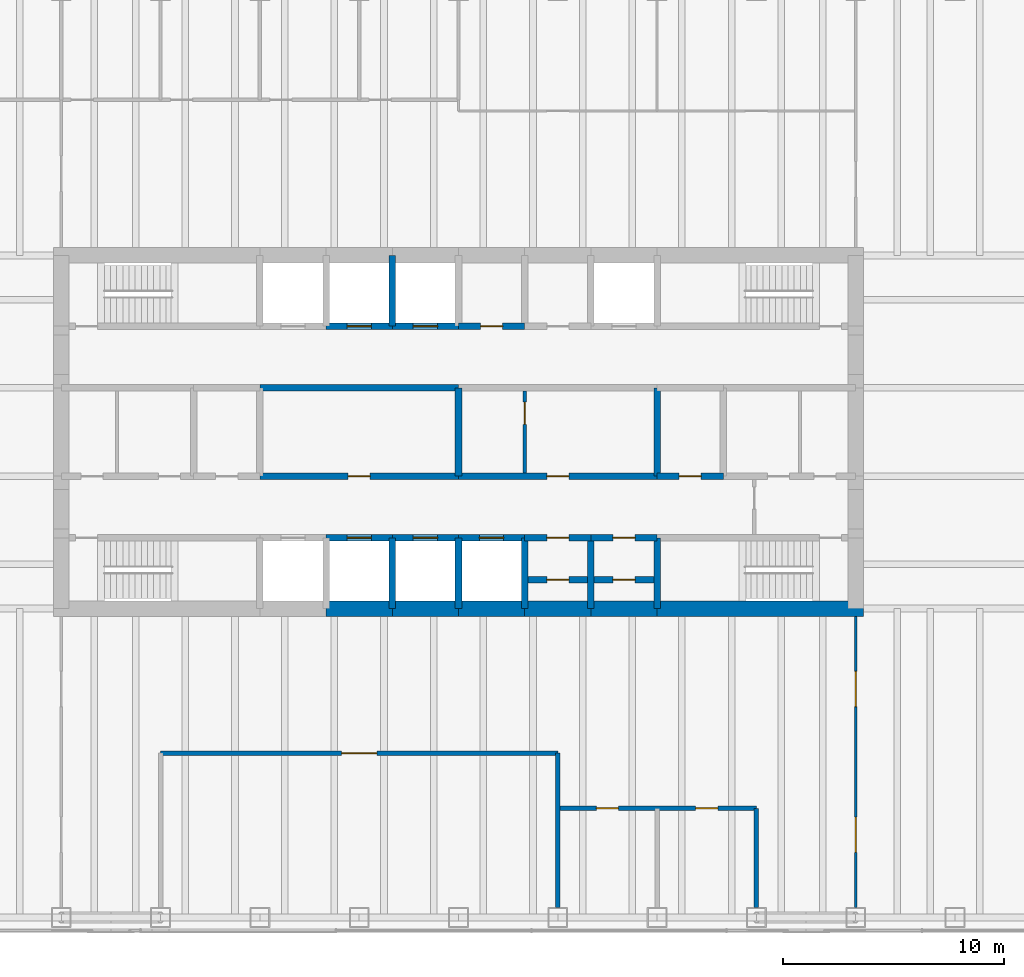
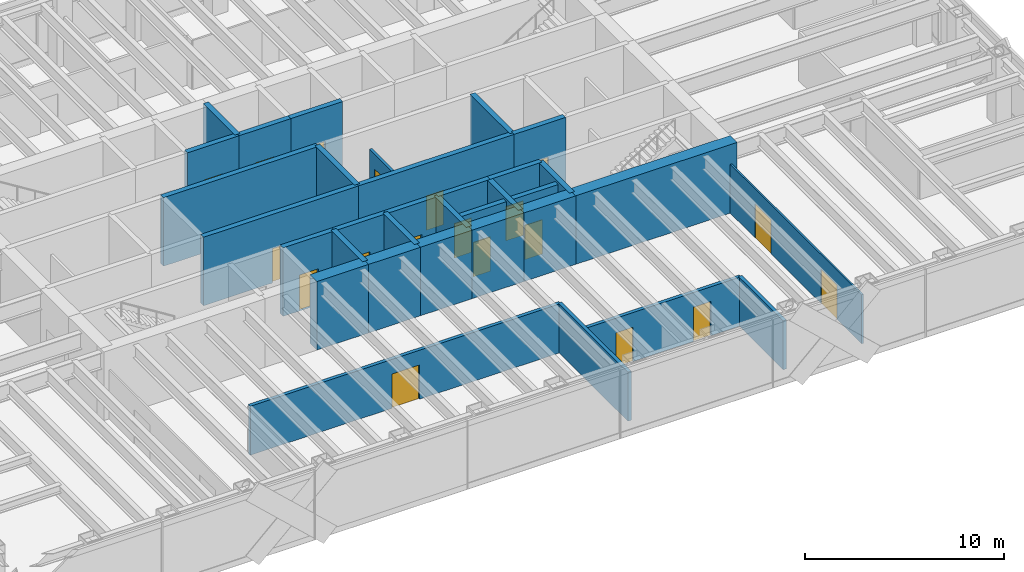
# One storey, part 14 of 17: 34 walls, 19 doors, 19 openings.
"""IFC4 building model written with IfcOpenShell, lengths in metres."""

from ifc_helpers import new_model, si_unit, direction, frame, frame_2d, origin, place, context, subcontext, project, spatial, rectangle, extrude, material, layer, layer_set, type_object, element, fill, save


model = new_model("IFC4")

# Units and contexts
model_context = context("Model", 3, precision=1e-05, world=origin(), true_north=direction((0.0, 1.0)))
body_context = subcontext(model_context, "Body", "Model", "MODEL_VIEW")
ifc_project = project(units=[si_unit("LENGTHUNIT", "METRE"), si_unit("AREAUNIT", "SQUARE_METRE"), si_unit("VOLUMEUNIT", "CUBIC_METRE"), si_unit("PLANEANGLEUNIT", "RADIAN"), si_unit("MASSUNIT", "GRAM", prefix="KILO")], contexts=[model_context])

# Site, building, storey
site_placement = place(None, origin())
site = spatial("IfcSite", under=ifc_project, at=site_placement, CompositionType="ELEMENT")
building_placement = place(site_placement, origin())
building = spatial("IfcBuilding", under=site, at=building_placement, Name="Rheinbord Bourse Tower", CompositionType="ELEMENT")
storey_placement = place(building_placement, frame((0.0, 0.0, 317.300048828125)))
storey = spatial("IfcBuildingStorey", under=building, at=storey_placement, Name="L72", CompositionType="ELEMENT", Elevation=317.300048828125)

# Wall, openings, doors
ifc_material_1 = material(Name="Acoustic gypsum board partition", Category="gypsum board")
ifc_layer_1 = layer(ifc_material_1, 0.199951171875)
ifc_layer_set_1 = layer_set([ifc_layer_1], Name="ACOUSTIC PARTITION 200")
wall_type_1 = type_object("IfcWallType", Name="ACOUSTIC PARTITION 200", PredefinedType="PARTITIONING", material=ifc_layer_set_1)
wall_1_placement = place(storey_placement, frame((40.5, 6.949951171875, 0.0), z_axis=(0.0, 0.0, 1.0), x_axis=(1.0, 0.0, 0.0)))
wall_1 = element("IfcWall", 1, at=wall_1_placement, inside=storey, type_object=wall_type_1, Name="Partition L72-01", PredefinedType="PARTITIONING", context=body_context, shape_type="SweptSolid", body=[
    extrude(rectangle(XDim=9.0, YDim=0.199951171875, at=frame_2d((4.5, 0.0))), origin(), (0.0, 0.0, 1.0), 3.0),
])
opening_1_placement = place(wall_1_placement, frame((1.75, 0.0, 0.0)))
opening_1 = element("IfcOpeningElement", 2, at=opening_1_placement, cuts=wall_1, Name="Opening 72D01", PredefinedType="OPENING", context=body_context, shape_type="SweptSolid", body=[
    extrude(rectangle(XDim=1.0, YDim=2.10009765625, at=frame_2d((0.5, 1.050048828125))), frame((0.0, 0.10986328125, 0.0), z_axis=(0.0, -1.0, 0.0), x_axis=(1.0, 0.0, 0.0)), (0.0, 0.0, 1.0), 0.219970703125),
])
opening_2_placement = place(wall_1_placement, frame((6.25, 0.0, 0.0)))
opening_2 = element("IfcOpeningElement", 3, at=opening_2_placement, cuts=wall_1, Name="Opening 72D02", PredefinedType="OPENING", context=body_context, shape_type="SweptSolid", body=[
    extrude(rectangle(XDim=1.0, YDim=2.10009765625, at=frame_2d((0.5, 1.050048828125))), frame((0.0, 0.10986328125, 0.0), z_axis=(0.0, -1.0, 0.0), x_axis=(1.0, 0.0, 0.0)), (0.0, 0.0, 1.0), 0.219970703125),
])
ifc_material_2 = material(Name="Timber door", Category="wood")
door_type_1 = type_object("IfcDoorType", Name="ROOM DOOR 1000", OperationType="SINGLE_SWING_LEFT", PredefinedType="DOOR", material=ifc_material_2)
door_1_placement = place(opening_1_placement, origin())
door_1 = element("IfcDoor", 4, at=door_1_placement, inside=storey, type_object=door_type_1, Name="Interview studio door L72", OperationType="SINGLE_SWING_LEFT", OverallHeight=2.10009765625, OverallWidth=1.0, PredefinedType="DOOR", context=body_context, shape_type="SweptSolid", body=[
    extrude(rectangle(XDim=1.0, YDim=2.10009765625, at=frame_2d((0.5, 1.050048828125))), frame((0.0, 0.02490234375, 0.0), z_axis=(0.0, -1.0, 0.0), x_axis=(1.0, 0.0, 0.0)), (0.0, 0.0, 1.0), 0.050048828125),
])
fill(opening_1, door_1)
door_2_placement = place(opening_2_placement, origin())
door_2 = element("IfcDoor", 5, at=door_2_placement, inside=storey, type_object=door_type_1, Name="Interview studio door L72", OperationType="SINGLE_SWING_RIGHT", OverallHeight=2.10009765625, OverallWidth=1.0, PredefinedType="DOOR", context=body_context, shape_type="SweptSolid", body=[
    extrude(rectangle(XDim=1.0, YDim=2.10009765625, at=frame_2d((0.5, 1.050048828125))), frame((0.0, 0.02490234375, 0.0), z_axis=(0.0, -1.0, 0.0), x_axis=(1.0, 0.0, 0.0)), (0.0, 0.0, 1.0), 0.050048828125),
])
fill(opening_2, door_2)

# Wall, opening, door
wall_2_placement = place(storey_placement, frame((22.5, 9.449951171875, 0.0), z_axis=(0.0, 0.0, 1.0), x_axis=(1.0, 0.0, 0.0)))
wall_2 = element("IfcWall", 6, at=wall_2_placement, inside=storey, type_object=wall_type_1, Name="Partition L72-02", PredefinedType="PARTITIONING", context=body_context, shape_type="SweptSolid", body=[
    extrude(rectangle(XDim=18.0, YDim=0.199951171875, at=frame_2d((9.0, 0.0))), origin(), (0.0, 0.0, 1.0), 3.0),
])
opening_3_placement = place(wall_2_placement, frame((8.199951171875, 0.0, 0.0)))
opening_3 = element("IfcOpeningElement", 7, at=opening_3_placement, cuts=wall_2, Name="Opening 72D03", PredefinedType="OPENING", context=body_context, shape_type="SweptSolid", body=[
    extrude(rectangle(XDim=1.60009765625, YDim=2.10009765625, at=frame_2d((0.800048828125, 1.050048828125))), frame((0.0, 0.10986328125, 0.0), z_axis=(0.0, -1.0, 0.0), x_axis=(1.0, 0.0, 0.0)), (0.0, 0.0, 1.0), 0.219970703125),
])
ifc_material_3 = material(Name="Timber door", Category="wood")
door_type_2 = type_object("IfcDoorType", Name="DOUBLE ROOM DOOR 1600", OperationType="DOUBLE_DOOR_DOUBLE_SWING", PredefinedType="DOOR", material=ifc_material_3)
door_3_placement = place(opening_3_placement, origin())
door_3 = element("IfcDoor", 8, at=door_3_placement, inside=storey, type_object=door_type_2, Name="Press briefing room door L72", OperationType="SINGLE_SWING_LEFT", OverallHeight=2.10009765625, OverallWidth=1.60009765625, PredefinedType="DOOR", context=body_context, shape_type="SweptSolid", body=[
    extrude(rectangle(XDim=1.60009765625, YDim=2.10009765625, at=frame_2d((0.800048828125, 1.050048828125))), frame((0.0, 0.02490234375, 0.0), z_axis=(0.0, -1.0, 0.0), x_axis=(1.0, 0.0, 0.0)), (0.0, 0.0, 1.0), 0.050048828125),
])
fill(opening_3, door_3)

# Walls
wall_3_placement = place(storey_placement, frame((40.5, 2.449951171875, 0.0), z_axis=(0.0, 0.0, 1.0), x_axis=(0.0, 1.0, 0.0)))
element("IfcWall", 9, at=wall_3_placement, inside=storey, type_object=wall_type_1, Name="Partition L72-23", PredefinedType="PARTITIONING", context=body_context, shape_type="SweptSolid", body=[
    extrude(rectangle(XDim=7.0, YDim=0.199951171875, at=frame_2d((3.5, 0.0))), origin(), (0.0, 0.0, 1.0), 3.0),
])
wall_4_placement = place(storey_placement, frame((49.5, 2.449951171875, 0.0), z_axis=(0.0, 0.0, 1.0), x_axis=(0.0, 1.0, 0.0)))
element("IfcWall", 10, at=wall_4_placement, inside=storey, type_object=wall_type_1, Name="Partition L72-26", PredefinedType="PARTITIONING", context=body_context, shape_type="SweptSolid", body=[
    extrude(rectangle(XDim=4.5, YDim=0.199951171875, at=frame_2d((2.25, 0.0))), origin(), (0.0, 0.0, 1.0), 3.0),
])

# Wall, opening, door
ifc_material_4 = material(Name="Concrete C50/60", Category="concrete")
ifc_layer_2 = layer(ifc_material_4, 0.300048828125)
ifc_layer_set_2 = layer_set([ifc_layer_2], Name="CORE INNER WALL 300")
wall_type_2 = type_object("IfcWallType", Name="CORE INNER WALL 300", PredefinedType="SOLIDWALL", material=ifc_layer_set_2)
wall_5_placement = place(storey_placement, frame((30.0, 19.199951171875, 0.0), z_axis=(0.0, 0.0, 1.0), x_axis=(1.0, 0.0, 0.0)))
wall_5 = element("IfcWall", 11, at=wall_5_placement, inside=storey, type_object=wall_type_2, Name="Core wall A3 L72", PredefinedType="SOLIDWALL", context=body_context, shape_type="SweptSolid", body=[
    extrude(rectangle(XDim=3.0, YDim=0.300048828125, at=frame_2d((1.5, 0.0))), origin(), (0.0, 0.0, 1.0), 4.199951171875),
])
opening_4_placement = place(wall_5_placement, frame((0.949951171875, 0.0, 0.0)))
opening_4 = element("IfcOpeningElement", 12, at=opening_4_placement, cuts=wall_5, Name="Opening PD1", PredefinedType="OPENING", context=body_context, shape_type="SweptSolid", body=[
    extrude(rectangle(XDim=1.10009765625, YDim=2.199951171875, at=frame_2d((0.550048828125, 1.10009765625))), frame((0.0, 0.159912109375, 0.0), z_axis=(0.0, -1.0, 0.0), x_axis=(1.0, 0.0, 0.0)), (0.0, 0.0, 1.0), 0.320068359375),
])
ifc_material_5 = material(Name="Steel landing door", Category="steel")
door_type_3 = type_object("IfcDoorType", Name="LIFT LANDING DOOR 1100", OperationType="DOUBLE_DOOR_SLIDING", PredefinedType="USERDEFINED", material=ifc_material_5)
door_4_placement = place(opening_4_placement, origin())
door_4 = element("IfcDoor", 13, at=door_4_placement, inside=storey, type_object=door_type_3, Name="Lift landing door PD1 L72", ObjectType="LIFT LANDING DOOR", OperationType="DOUBLE_DOOR_SLIDING", OverallHeight=2.199951171875, OverallWidth=1.10009765625, PredefinedType="USERDEFINED", context=body_context, shape_type="SweptSolid", body=[
    extrude(rectangle(XDim=1.10009765625, YDim=2.199951171875, at=frame_2d((0.550048828125, 1.10009765625))), frame((0.0, 0.02490234375, 0.0), z_axis=(0.0, -1.0, 0.0), x_axis=(1.0, 0.0, 0.0)), (0.0, 0.0, 1.0), 0.050048828125),
])
fill(opening_4, door_4)

wall_6_placement = place(storey_placement, frame((33.0, 19.199951171875, 0.0), z_axis=(0.0, 0.0, 1.0), x_axis=(1.0, 0.0, 0.0)))
wall_6 = element("IfcWall", 14, at=wall_6_placement, inside=storey, type_object=wall_type_2, Name="Core wall A4 L72", PredefinedType="SOLIDWALL", context=body_context, shape_type="SweptSolid", body=[
    extrude(rectangle(XDim=3.0, YDim=0.300048828125, at=frame_2d((1.5, 0.0))), origin(), (0.0, 0.0, 1.0), 4.199951171875),
])
opening_5_placement = place(wall_6_placement, frame((0.949951171875, 0.0, 0.0)))
opening_5 = element("IfcOpeningElement", 15, at=opening_5_placement, cuts=wall_6, Name="Opening PD2", PredefinedType="OPENING", context=body_context, shape_type="SweptSolid", body=[
    extrude(rectangle(XDim=1.10009765625, YDim=2.199951171875, at=frame_2d((0.550048828125, 1.10009765625))), frame((0.0, 0.159912109375, 0.0), z_axis=(0.0, -1.0, 0.0), x_axis=(1.0, 0.0, 0.0)), (0.0, 0.0, 1.0), 0.320068359375),
])
door_5_placement = place(opening_5_placement, origin())
door_5 = element("IfcDoor", 16, at=door_5_placement, inside=storey, type_object=door_type_3, Name="Lift landing door PD2 L72", ObjectType="LIFT LANDING DOOR", OperationType="DOUBLE_DOOR_SLIDING", OverallHeight=2.199951171875, OverallWidth=1.10009765625, PredefinedType="USERDEFINED", context=body_context, shape_type="SweptSolid", body=[
    extrude(rectangle(XDim=1.10009765625, YDim=2.199951171875, at=frame_2d((0.550048828125, 1.10009765625))), frame((0.0, 0.02490234375, 0.0), z_axis=(0.0, -1.0, 0.0), x_axis=(1.0, 0.0, 0.0)), (0.0, 0.0, 1.0), 0.050048828125),
])
fill(opening_5, door_5)

wall_7_placement = place(storey_placement, frame((36.0, 19.199951171875, 0.0), z_axis=(0.0, 0.0, 1.0), x_axis=(1.0, 0.0, 0.0)))
wall_7 = element("IfcWall", 17, at=wall_7_placement, inside=storey, type_object=wall_type_2, Name="Core wall A5 L72", PredefinedType="SOLIDWALL", context=body_context, shape_type="SweptSolid", body=[
    extrude(rectangle(XDim=3.0, YDim=0.300048828125, at=frame_2d((1.5, 0.0))), origin(), (0.0, 0.0, 1.0), 4.199951171875),
])
opening_6_placement = place(wall_7_placement, frame((0.949951171875, 0.0, 0.0)))
opening_6 = element("IfcOpeningElement", 18, at=opening_6_placement, cuts=wall_7, Name="Opening PD3", PredefinedType="OPENING", context=body_context, shape_type="SweptSolid", body=[
    extrude(rectangle(XDim=1.10009765625, YDim=2.199951171875, at=frame_2d((0.550048828125, 1.10009765625))), frame((0.0, 0.159912109375, 0.0), z_axis=(0.0, -1.0, 0.0), x_axis=(1.0, 0.0, 0.0)), (0.0, 0.0, 1.0), 0.320068359375),
])
door_6_placement = place(opening_6_placement, origin())
door_6 = element("IfcDoor", 19, at=door_6_placement, inside=storey, type_object=door_type_3, Name="Lift landing door PD3 L72", ObjectType="LIFT LANDING DOOR", OperationType="DOUBLE_DOOR_SLIDING", OverallHeight=2.199951171875, OverallWidth=1.10009765625, PredefinedType="USERDEFINED", context=body_context, shape_type="SweptSolid", body=[
    extrude(rectangle(XDim=1.10009765625, YDim=2.199951171875, at=frame_2d((0.550048828125, 1.10009765625))), frame((0.0, 0.02490234375, 0.0), z_axis=(0.0, -1.0, 0.0), x_axis=(1.0, 0.0, 0.0)), (0.0, 0.0, 1.0), 0.050048828125),
])
fill(opening_6, door_6)

wall_8_placement = place(storey_placement, frame((39.0, 19.199951171875, 0.0), z_axis=(0.0, 0.0, 1.0), x_axis=(1.0, 0.0, 0.0)))
wall_8 = element("IfcWall", 20, at=wall_8_placement, inside=storey, type_object=wall_type_2, Name="Core wall A6 L72", PredefinedType="SOLIDWALL", context=body_context, shape_type="SweptSolid", body=[
    extrude(rectangle(XDim=3.0, YDim=0.300048828125, at=frame_2d((1.5, 0.0))), origin(), (0.0, 0.0, 1.0), 4.199951171875),
])
opening_7_placement = place(wall_8_placement, frame((1.0, 0.0, 0.0)))
opening_7 = element("IfcOpeningElement", 21, at=opening_7_placement, cuts=wall_8, Name="Opening 72R8", PredefinedType="OPENING", context=body_context, shape_type="SweptSolid", body=[
    extrude(rectangle(XDim=1.0, YDim=2.10009765625, at=frame_2d((0.5, 1.050048828125))), frame((0.0, 0.159912109375, 0.0), z_axis=(0.0, -1.0, 0.0), x_axis=(1.0, 0.0, 0.0)), (0.0, 0.0, 1.0), 0.320068359375),
])
ifc_material_6 = material(Name="Steel door", Category="steel")
door_type_4 = type_object("IfcDoorType", Name="DOOR 1000 EI30", OperationType="SINGLE_SWING_LEFT", PredefinedType="DOOR", material=ifc_material_6)
door_7_placement = place(opening_7_placement, origin())
door_7 = element("IfcDoor", 22, at=door_7_placement, inside=storey, type_object=door_type_4, Name="Store door L72", OperationType="SINGLE_SWING_LEFT", OverallHeight=2.10009765625, OverallWidth=1.0, PredefinedType="DOOR", context=body_context, shape_type="SweptSolid", body=[
    extrude(rectangle(XDim=1.0, YDim=2.10009765625, at=frame_2d((0.5, 1.050048828125))), frame((0.0, 0.02490234375, 0.0), z_axis=(0.0, -1.0, 0.0), x_axis=(1.0, 0.0, 0.0)), (0.0, 0.0, 1.0), 0.050048828125),
])
fill(opening_7, door_7)

wall_9_placement = place(storey_placement, frame((42.0, 19.199951171875, 0.0), z_axis=(0.0, 0.0, 1.0), x_axis=(1.0, 0.0, 0.0)))
wall_9 = element("IfcWall", 23, at=wall_9_placement, inside=storey, type_object=wall_type_2, Name="Core wall A7 L72", PredefinedType="SOLIDWALL", context=body_context, shape_type="SweptSolid", body=[
    extrude(rectangle(XDim=3.0, YDim=0.300048828125, at=frame_2d((1.5, 0.0))), origin(), (0.0, 0.0, 1.0), 4.199951171875),
])
opening_8_placement = place(wall_9_placement, frame((1.0, 0.0, 0.0)))
opening_8 = element("IfcOpeningElement", 24, at=opening_8_placement, cuts=wall_9, Name="Opening 72R9", PredefinedType="OPENING", context=body_context, shape_type="SweptSolid", body=[
    extrude(rectangle(XDim=1.0, YDim=2.10009765625, at=frame_2d((0.5, 1.050048828125))), frame((0.0, 0.159912109375, 0.0), z_axis=(0.0, -1.0, 0.0), x_axis=(1.0, 0.0, 0.0)), (0.0, 0.0, 1.0), 0.320068359375),
])
door_8_placement = place(opening_8_placement, origin())
door_8 = element("IfcDoor", 25, at=door_8_placement, inside=storey, type_object=door_type_4, Name="Archive store door L72", OperationType="SINGLE_SWING_LEFT", OverallHeight=2.10009765625, OverallWidth=1.0, PredefinedType="DOOR", context=body_context, shape_type="SweptSolid", body=[
    extrude(rectangle(XDim=1.0, YDim=2.10009765625, at=frame_2d((0.5, 1.050048828125))), frame((0.0, 0.02490234375, 0.0), z_axis=(0.0, -1.0, 0.0), x_axis=(1.0, 0.0, 0.0)), (0.0, 0.0, 1.0), 0.050048828125),
])
fill(opening_8, door_8)

wall_10_placement = place(storey_placement, frame((30.0, 28.800048828125, 0.0), z_axis=(0.0, 0.0, 1.0), x_axis=(1.0, 0.0, 0.0)))
wall_10 = element("IfcWall", 26, at=wall_10_placement, inside=storey, type_object=wall_type_2, Name="Core wall B3 L72", PredefinedType="SOLIDWALL", context=body_context, shape_type="SweptSolid", body=[
    extrude(rectangle(XDim=3.0, YDim=0.300048828125, at=frame_2d((1.5, 0.0))), origin(), (0.0, 0.0, 1.0), 4.199951171875),
])
opening_9_placement = place(wall_10_placement, frame((0.949951171875, 0.0, 0.0)))
opening_9 = element("IfcOpeningElement", 27, at=opening_9_placement, cuts=wall_10, Name="Opening PD4", PredefinedType="OPENING", context=body_context, shape_type="SweptSolid", body=[
    extrude(rectangle(XDim=1.10009765625, YDim=2.199951171875, at=frame_2d((0.550048828125, 1.10009765625))), frame((0.0, 0.159912109375, 0.0), z_axis=(0.0, -1.0, 0.0), x_axis=(1.0, 0.0, 0.0)), (0.0, 0.0, 1.0), 0.320068359375),
])
door_9_placement = place(opening_9_placement, origin())
door_9 = element("IfcDoor", 28, at=door_9_placement, inside=storey, type_object=door_type_3, Name="Lift landing door PD4 L72", ObjectType="LIFT LANDING DOOR", OperationType="DOUBLE_DOOR_SLIDING", OverallHeight=2.199951171875, OverallWidth=1.10009765625, PredefinedType="USERDEFINED", context=body_context, shape_type="SweptSolid", body=[
    extrude(rectangle(XDim=1.10009765625, YDim=2.199951171875, at=frame_2d((0.550048828125, 1.10009765625))), frame((0.0, 0.02490234375, 0.0), z_axis=(0.0, -1.0, 0.0), x_axis=(1.0, 0.0, 0.0)), (0.0, 0.0, 1.0), 0.050048828125),
])
fill(opening_9, door_9)

wall_11_placement = place(storey_placement, frame((33.0, 28.800048828125, 0.0), z_axis=(0.0, 0.0, 1.0), x_axis=(1.0, 0.0, 0.0)))
wall_11 = element("IfcWall", 29, at=wall_11_placement, inside=storey, type_object=wall_type_2, Name="Core wall B4 L72", PredefinedType="SOLIDWALL", context=body_context, shape_type="SweptSolid", body=[
    extrude(rectangle(XDim=3.0, YDim=0.300048828125, at=frame_2d((1.5, 0.0))), origin(), (0.0, 0.0, 1.0), 4.199951171875),
])
opening_10_placement = place(wall_11_placement, frame((0.949951171875, 0.0, 0.0)))
opening_10 = element("IfcOpeningElement", 30, at=opening_10_placement, cuts=wall_11, Name="Opening PD5", PredefinedType="OPENING", context=body_context, shape_type="SweptSolid", body=[
    extrude(rectangle(XDim=1.10009765625, YDim=2.199951171875, at=frame_2d((0.550048828125, 1.10009765625))), frame((0.0, 0.159912109375, 0.0), z_axis=(0.0, -1.0, 0.0), x_axis=(1.0, 0.0, 0.0)), (0.0, 0.0, 1.0), 0.320068359375),
])
door_10_placement = place(opening_10_placement, origin())
door_10 = element("IfcDoor", 31, at=door_10_placement, inside=storey, type_object=door_type_3, Name="Lift landing door PD5 L72", ObjectType="LIFT LANDING DOOR", OperationType="DOUBLE_DOOR_SLIDING", OverallHeight=2.199951171875, OverallWidth=1.10009765625, PredefinedType="USERDEFINED", context=body_context, shape_type="SweptSolid", body=[
    extrude(rectangle(XDim=1.10009765625, YDim=2.199951171875, at=frame_2d((0.550048828125, 1.10009765625))), frame((0.0, 0.02490234375, 0.0), z_axis=(0.0, -1.0, 0.0), x_axis=(1.0, 0.0, 0.0)), (0.0, 0.0, 1.0), 0.050048828125),
])
fill(opening_10, door_10)

wall_12_placement = place(storey_placement, frame((36.0, 28.800048828125, 0.0), z_axis=(0.0, 0.0, 1.0), x_axis=(1.0, 0.0, 0.0)))
wall_12 = element("IfcWall", 32, at=wall_12_placement, inside=storey, type_object=wall_type_2, Name="Core wall B5 L72", PredefinedType="SOLIDWALL", context=body_context, shape_type="SweptSolid", body=[
    extrude(rectangle(XDim=3.0, YDim=0.300048828125, at=frame_2d((1.5, 0.0))), origin(), (0.0, 0.0, 1.0), 4.199951171875),
])
opening_11_placement = place(wall_12_placement, frame((1.0, 0.0, 0.0)))
opening_11 = element("IfcOpeningElement", 33, at=opening_11_placement, cuts=wall_12, Name="Opening 72R10", PredefinedType="OPENING", context=body_context, shape_type="SweptSolid", body=[
    extrude(rectangle(XDim=1.0, YDim=2.10009765625, at=frame_2d((0.5, 1.050048828125))), frame((0.0, 0.159912109375, 0.0), z_axis=(0.0, -1.0, 0.0), x_axis=(1.0, 0.0, 0.0)), (0.0, 0.0, 1.0), 0.320068359375),
])
door_11_placement = place(opening_11_placement, origin())
door_11 = element("IfcDoor", 34, at=door_11_placement, inside=storey, type_object=door_type_4, Name="Mail room door L72", OperationType="SINGLE_SWING_LEFT", OverallHeight=2.10009765625, OverallWidth=1.0, PredefinedType="DOOR", context=body_context, shape_type="SweptSolid", body=[
    extrude(rectangle(XDim=1.0, YDim=2.10009765625, at=frame_2d((0.5, 1.050048828125))), frame((0.0, 0.02490234375, 0.0), z_axis=(0.0, -1.0, 0.0), x_axis=(1.0, 0.0, 0.0)), (0.0, 0.0, 1.0), 0.050048828125),
])
fill(opening_11, door_11)

wall_13_placement = place(storey_placement, frame((27.0, 22.0, 0.0), z_axis=(0.0, 0.0, 1.0), x_axis=(1.0, 0.0, 0.0)))
wall_13 = element("IfcWall", 35, at=wall_13_placement, inside=storey, type_object=wall_type_2, Name="Core wall C3 L72", PredefinedType="SOLIDWALL", context=body_context, shape_type="SweptSolid", body=[
    extrude(rectangle(XDim=9.0, YDim=0.300048828125, at=frame_2d((4.5, 0.0))), origin(), (0.0, 0.0, 1.0), 4.199951171875),
])
opening_12_placement = place(wall_13_placement, frame((4.0, 0.0, 0.0)))
opening_12 = element("IfcOpeningElement", 36, at=opening_12_placement, cuts=wall_13, Name="Opening 72R3", PredefinedType="OPENING", context=body_context, shape_type="SweptSolid", body=[
    extrude(rectangle(XDim=1.0, YDim=2.10009765625, at=frame_2d((0.5, 1.050048828125))), frame((0.0, 0.159912109375, 0.0), z_axis=(0.0, -1.0, 0.0), x_axis=(1.0, 0.0, 0.0)), (0.0, 0.0, 1.0), 0.320068359375),
])
door_12_placement = place(opening_12_placement, origin())
door_12 = element("IfcDoor", 37, at=door_12_placement, inside=storey, type_object=door_type_4, Name="Riser door L72", OperationType="SINGLE_SWING_LEFT", OverallHeight=2.10009765625, OverallWidth=1.0, PredefinedType="DOOR", context=body_context, shape_type="SweptSolid", body=[
    extrude(rectangle(XDim=1.0, YDim=2.10009765625, at=frame_2d((0.5, 1.050048828125))), frame((0.0, 0.02490234375, 0.0), z_axis=(0.0, -1.0, 0.0), x_axis=(1.0, 0.0, 0.0)), (0.0, 0.0, 1.0), 0.050048828125),
])
fill(opening_12, door_12)

wall_14_placement = place(storey_placement, frame((36.0, 22.0, 0.0), z_axis=(0.0, 0.0, 1.0), x_axis=(1.0, 0.0, 0.0)))
wall_14 = element("IfcWall", 38, at=wall_14_placement, inside=storey, type_object=wall_type_2, Name="Core wall C4 L72", PredefinedType="SOLIDWALL", context=body_context, shape_type="SweptSolid", body=[
    extrude(rectangle(XDim=9.0, YDim=0.300048828125, at=frame_2d((4.5, 0.0))), origin(), (0.0, 0.0, 1.0), 4.199951171875),
])
opening_13_placement = place(wall_14_placement, frame((4.0, 0.0, 0.0)))
opening_13 = element("IfcOpeningElement", 39, at=opening_13_placement, cuts=wall_14, Name="Opening 72R4", PredefinedType="OPENING", context=body_context, shape_type="SweptSolid", body=[
    extrude(rectangle(XDim=1.0, YDim=2.10009765625, at=frame_2d((0.5, 1.050048828125))), frame((0.0, 0.159912109375, 0.0), z_axis=(0.0, -1.0, 0.0), x_axis=(1.0, 0.0, 0.0)), (0.0, 0.0, 1.0), 0.320068359375),
])
door_13_placement = place(opening_13_placement, origin())
door_13 = element("IfcDoor", 40, at=door_13_placement, inside=storey, type_object=door_type_4, Name="Pantry door L72", OperationType="SINGLE_SWING_LEFT", OverallHeight=2.10009765625, OverallWidth=1.0, PredefinedType="DOOR", context=body_context, shape_type="SweptSolid", body=[
    extrude(rectangle(XDim=1.0, YDim=2.10009765625, at=frame_2d((0.5, 1.050048828125))), frame((0.0, 0.02490234375, 0.0), z_axis=(0.0, -1.0, 0.0), x_axis=(1.0, 0.0, 0.0)), (0.0, 0.0, 1.0), 0.050048828125),
])
fill(opening_13, door_13)

wall_15_placement = place(storey_placement, frame((45.0, 22.0, 0.0), z_axis=(0.0, 0.0, 1.0), x_axis=(1.0, 0.0, 0.0)))
wall_15 = element("IfcWall", 41, at=wall_15_placement, inside=storey, type_object=wall_type_2, Name="Core wall C5 L72", PredefinedType="SOLIDWALL", context=body_context, shape_type="SweptSolid", body=[
    extrude(rectangle(XDim=3.0, YDim=0.300048828125, at=frame_2d((1.5, 0.0))), origin(), (0.0, 0.0, 1.0), 4.199951171875),
])
opening_14_placement = place(wall_15_placement, frame((1.0, 0.0, 0.0)))
opening_14 = element("IfcOpeningElement", 42, at=opening_14_placement, cuts=wall_15, Name="Opening 72R5", PredefinedType="OPENING", context=body_context, shape_type="SweptSolid", body=[
    extrude(rectangle(XDim=1.0, YDim=2.10009765625, at=frame_2d((0.5, 1.050048828125))), frame((0.0, 0.159912109375, 0.0), z_axis=(0.0, -1.0, 0.0), x_axis=(1.0, 0.0, 0.0)), (0.0, 0.0, 1.0), 0.320068359375),
])
ifc_material_7 = material(Name="Timber door", Category="wood")
door_type_5 = type_object("IfcDoorType", Name="DOOR 1000 WC", OperationType="SINGLE_SWING_LEFT", PredefinedType="DOOR", material=ifc_material_7)
door_14_placement = place(opening_14_placement, origin())
door_14 = element("IfcDoor", 43, at=door_14_placement, inside=storey, type_object=door_type_5, Name="Accessible WC door L72", OperationType="SINGLE_SWING_LEFT", OverallHeight=2.10009765625, OverallWidth=1.0, PredefinedType="DOOR", context=body_context, shape_type="SweptSolid", body=[
    extrude(rectangle(XDim=1.0, YDim=2.10009765625, at=frame_2d((0.5, 1.050048828125))), frame((0.0, 0.02490234375, 0.0), z_axis=(0.0, -1.0, 0.0), x_axis=(1.0, 0.0, 0.0)), (0.0, 0.0, 1.0), 0.050048828125),
])
fill(opening_14, door_14)

# Walls
wall_16_placement = place(storey_placement, frame((27.0, 26.0, 0.0), z_axis=(0.0, 0.0, 1.0), x_axis=(1.0, 0.0, 0.0)))
element("IfcWall", 44, at=wall_16_placement, inside=storey, type_object=wall_type_2, Name="Core wall D3 L72", PredefinedType="SOLIDWALL", context=body_context, shape_type="SweptSolid", body=[
    extrude(rectangle(XDim=9.0, YDim=0.300048828125, at=frame_2d((4.5, 0.0))), origin(), (0.0, 0.0, 1.0), 4.199951171875),
])
for number, where, z_axis, x_axis, name in (
    (45, (33.0, 16.0, 0.0), (0.0, 0.0, 1.0), (0.0, 1.0, 0.0), "Core wall SX33 L72"),
    (46, (33.0, 28.800048828125, 0.0), (0.0, 0.0, 1.0), (0.0, 1.0, 0.0), "Core wall NX33 L72"),
    (47, (36.0, 16.0, 0.0), (0.0, 0.0, 1.0), (0.0, 1.0, 0.0), "Core wall SX36 L72"),
    (48, (39.0, 16.0, 0.0), (0.0, 0.0, 1.0), (0.0, 1.0, 0.0), "Core wall SX39 L72"),
    (49, (42.0, 16.0, 0.0), (0.0, 0.0, 1.0), (0.0, 1.0, 0.0), "Core wall SX42 L72"),
    (50, (45.0, 16.0, 0.0), (0.0, 0.0, 1.0), (0.0, 1.0, 0.0), "Core wall SX45 L72"),
):
    element("IfcWall", number, at=place(storey_placement, frame(where, z_axis=z_axis, x_axis=x_axis)), inside=storey, type_object=wall_type_2, Name=name, PredefinedType="SOLIDWALL", context=body_context, shape_type="SweptSolid", body=[
        extrude(rectangle(XDim=3.199951171875, YDim=0.300048828125, at=frame_2d((1.60009765625, 0.0))), origin(), (0.0, 0.0, 1.0), 4.199951171875),
    ])
for number, where, z_axis, x_axis, name in (
    (51, (36.0, 22.0, 0.0), (0.0, 0.0, 1.0), (0.0, 1.0, 0.0), "Core wall MX36 L72"),
    (52, (45.0, 22.0, 0.0), (0.0, 0.0, 1.0), (0.0, 1.0, 0.0), "Core wall MX45 L72"),
):
    element("IfcWall", number, at=place(storey_placement, frame(where, z_axis=z_axis, x_axis=x_axis)), inside=storey, type_object=wall_type_2, Name=name, PredefinedType="SOLIDWALL", context=body_context, shape_type="SweptSolid", body=[
        extrude(rectangle(XDim=4.0, YDim=0.300048828125, at=frame_2d((2.0, 0.0))), origin(), (0.0, 0.0, 1.0), 4.199951171875),
    ])

# Wall, opening, door
wall_17_placement = place(storey_placement, frame((39.14990234375, 17.300048828125, 0.0), z_axis=(0.0, 0.0, 1.0), x_axis=(1.0, 0.0, 0.0)))
wall_17 = element("IfcWall", 53, at=wall_17_placement, inside=storey, type_object=wall_type_2, Name="Core riser wall L72-6", PredefinedType="SOLIDWALL", context=body_context, shape_type="SweptSolid", body=[
    extrude(rectangle(XDim=2.7001953125, YDim=0.300048828125, at=frame_2d((1.35009765625, 0.0))), origin(), (0.0, 0.0, 1.0), 4.0400390625),
])
opening_15_placement = place(wall_17_placement, frame((0.85009765625, 0.0, 0.0)))
opening_15 = element("IfcOpeningElement", 54, at=opening_15_placement, cuts=wall_17, Name="Opening 72R12", PredefinedType="OPENING", context=body_context, shape_type="SweptSolid", body=[
    extrude(rectangle(XDim=1.0, YDim=2.10009765625, at=frame_2d((0.5, 1.050048828125))), frame((0.0, 0.159912109375, 0.0), z_axis=(0.0, -1.0, 0.0), x_axis=(1.0, 0.0, 0.0)), (0.0, 0.0, 1.0), 0.320068359375),
])
door_15_placement = place(opening_15_placement, origin())
door_15 = element("IfcDoor", 55, at=door_15_placement, inside=storey, type_object=door_type_4, Name="Comms riser door L72", OperationType="SINGLE_SWING_LEFT", OverallHeight=2.10009765625, OverallWidth=1.0, PredefinedType="DOOR", context=body_context, shape_type="SweptSolid", body=[
    extrude(rectangle(XDim=1.0, YDim=2.10009765625, at=frame_2d((0.5, 1.050048828125))), frame((0.0, 0.02490234375, 0.0), z_axis=(0.0, -1.0, 0.0), x_axis=(1.0, 0.0, 0.0)), (0.0, 0.0, 1.0), 0.050048828125),
])
fill(opening_15, door_15)

wall_18_placement = place(storey_placement, frame((42.14990234375, 17.300048828125, 0.0), z_axis=(0.0, 0.0, 1.0), x_axis=(1.0, 0.0, 0.0)))
wall_18 = element("IfcWall", 56, at=wall_18_placement, inside=storey, type_object=wall_type_2, Name="Core riser wall L72-7", PredefinedType="SOLIDWALL", context=body_context, shape_type="SweptSolid", body=[
    extrude(rectangle(XDim=2.7001953125, YDim=0.300048828125, at=frame_2d((1.35009765625, 0.0))), origin(), (0.0, 0.0, 1.0), 4.0400390625),
])
opening_16_placement = place(wall_18_placement, frame((0.85009765625, 0.0, 0.0)))
opening_16 = element("IfcOpeningElement", 57, at=opening_16_placement, cuts=wall_18, Name="Opening 72R13", PredefinedType="OPENING", context=body_context, shape_type="SweptSolid", body=[
    extrude(rectangle(XDim=1.0, YDim=2.10009765625, at=frame_2d((0.5, 1.050048828125))), frame((0.0, 0.159912109375, 0.0), z_axis=(0.0, -1.0, 0.0), x_axis=(1.0, 0.0, 0.0)), (0.0, 0.0, 1.0), 0.320068359375),
])
door_16_placement = place(opening_16_placement, origin())
door_16 = element("IfcDoor", 58, at=door_16_placement, inside=storey, type_object=door_type_4, Name="Electrical riser door L72", OperationType="SINGLE_SWING_LEFT", OverallHeight=2.10009765625, OverallWidth=1.0, PredefinedType="DOOR", context=body_context, shape_type="SweptSolid", body=[
    extrude(rectangle(XDim=1.0, YDim=2.10009765625, at=frame_2d((0.5, 1.050048828125))), frame((0.0, 0.02490234375, 0.0), z_axis=(0.0, -1.0, 0.0), x_axis=(1.0, 0.0, 0.0)), (0.0, 0.0, 1.0), 0.050048828125),
])
fill(opening_16, door_16)

ifc_material_8 = material(Name="Gypsum board fire partition", Category="gypsum board")
ifc_layer_3 = layer(ifc_material_8, 0.14990234375)
ifc_layer_set_3 = layer_set([ifc_layer_3], Name="CORE PARTITION 150 EI30")
wall_type_3 = type_object("IfcWallType", Name="CORE PARTITION 150 EI30", PredefinedType="PARTITIONING", material=ifc_layer_set_3)
wall_19_placement = place(storey_placement, frame((39.0, 22.14990234375, 0.0), z_axis=(0.0, 0.0, 1.0), x_axis=(0.0, 1.0, 0.0)))
wall_19 = element("IfcWall", 59, at=wall_19_placement, inside=storey, type_object=wall_type_3, Name="Core partition L72-1", PredefinedType="PARTITIONING", context=body_context, shape_type="SweptSolid", body=[
    extrude(rectangle(XDim=3.7001953125, YDim=0.14990234375, at=frame_2d((1.85009765625, 0.0))), origin(), (0.0, 0.0, 1.0), 3.0),
])
opening_17_placement = place(wall_19_placement, frame((2.199951171875, 0.0, 0.0)))
opening_17 = element("IfcOpeningElement", 60, at=opening_17_placement, cuts=wall_19, Name="Opening 72R7", PredefinedType="OPENING", context=body_context, shape_type="SweptSolid", body=[
    extrude(rectangle(XDim=1.0, YDim=2.10009765625, at=frame_2d((0.5, 1.050048828125))), frame((0.0, 0.0849609375, 0.0), z_axis=(0.0, -1.0, 0.0), x_axis=(1.0, 0.0, 0.0)), (0.0, 0.0, 1.0), 0.169921875),
])
door_17_placement = place(opening_17_placement, origin())
door_17 = element("IfcDoor", 61, at=door_17_placement, inside=storey, type_object=door_type_4, Name="Cleaner's store door L72", OperationType="SINGLE_SWING_RIGHT", OverallHeight=2.10009765625, OverallWidth=1.0, PredefinedType="DOOR", context=body_context, shape_type="SweptSolid", body=[
    extrude(rectangle(XDim=1.0, YDim=2.10009765625, at=frame_2d((0.5, 1.050048828125))), frame((0.0, 0.02490234375, 0.0), z_axis=(0.0, -1.0, 0.0), x_axis=(1.0, 0.0, 0.0)), (0.0, 0.0, 1.0), 0.050048828125),
])
fill(opening_17, door_17)

# Walls
ifc_material_9 = material(Name="Concrete C50/60", Category="concrete")
ifc_layer_4 = layer(ifc_material_9, 0.699951171875)
ifc_layer_set_4 = layer_set([ifc_layer_4], Name="CORE WALL 700")
wall_type_4 = type_object("IfcWallType", Name="CORE WALL 700", PredefinedType="SHEAR", material=ifc_layer_set_4)
for number, where, z_axis, x_axis, name in (
    (62, (30.0, 16.0, 0.0), (0.0, 0.0, 1.0), (1.0, 0.0, 0.0), "Core wall S3 L72"),
    (63, (33.0, 16.0, 0.0), (0.0, 0.0, 1.0), (1.0, 0.0, 0.0), "Core wall S4 L72"),
    (64, (36.0, 16.0, 0.0), (0.0, 0.0, 1.0), (1.0, 0.0, 0.0), "Core wall S5 L72"),
    (65, (39.0, 16.0, 0.0), (0.0, 0.0, 1.0), (1.0, 0.0, 0.0), "Core wall S6 L72"),
    (66, (42.0, 16.0, 0.0), (0.0, 0.0, 1.0), (1.0, 0.0, 0.0), "Core wall S7 L72"),
):
    element("IfcWall", number, at=place(storey_placement, frame(where, z_axis=z_axis, x_axis=x_axis)), inside=storey, type_object=wall_type_4, Name=name, PredefinedType="SHEAR", context=body_context, shape_type="SweptSolid", body=[
        extrude(rectangle(XDim=3.0, YDim=0.699951171875, at=frame_2d((1.5, 0.0))), origin(), (0.0, 0.0, 1.0), 4.199951171875),
    ])
wall_20_placement = place(storey_placement, frame((45.0, 16.0, 0.0), z_axis=(0.0, 0.0, 1.0), x_axis=(1.0, 0.0, 0.0)))
element("IfcWall", 67, at=wall_20_placement, inside=storey, type_object=wall_type_4, Name="Core wall S8 L72", PredefinedType="SHEAR", context=body_context, shape_type="SweptSolid", body=[
    extrude(rectangle(XDim=9.35009765625, YDim=0.699951171875, at=frame_2d((4.675048828125, 0.0))), origin(), (0.0, 0.0, 1.0), 4.199951171875),
])

# Wall, openings, doors
ifc_material_10 = material(Name="Toughened laminated glass partition", Category="glass")
ifc_layer_5 = layer(ifc_material_10, 0.10009765625)
ifc_layer_set_5 = layer_set([ifc_layer_5], Name="GLAZED PARTITION 100")
wall_type_5 = type_object("IfcWallType", Name="GLAZED PARTITION 100", PredefinedType="PARTITIONING", material=ifc_layer_set_5)
wall_21_placement = place(storey_placement, frame((54.0, 2.449951171875, 0.0), z_axis=(0.0, 0.0, 1.0), x_axis=(0.0, 1.0, 0.0)))
wall_21 = element("IfcWall", 68, at=wall_21_placement, inside=storey, type_object=wall_type_5, Name="Partition L72-27", PredefinedType="PARTITIONING", context=body_context, shape_type="SweptSolid", body=[
    extrude(rectangle(XDim=13.199951171875, YDim=0.10009765625, at=frame_2d((6.60009765625, 0.0))), origin(), (0.0, 0.0, 1.0), 3.0),
])
opening_18_placement = place(wall_21_placement, frame((2.5, 0.0, 0.0)))
opening_18 = element("IfcOpeningElement", 69, at=opening_18_placement, cuts=wall_21, Name="Opening 72D18", PredefinedType="OPENING", context=body_context, shape_type="SweptSolid", body=[
    extrude(rectangle(XDim=1.60009765625, YDim=2.10009765625, at=frame_2d((0.800048828125, 1.050048828125))), frame((0.0, 0.06005859375, 0.0), z_axis=(0.0, -1.0, 0.0), x_axis=(1.0, 0.0, 0.0)), (0.0, 0.0, 1.0), 0.1201171875),
])
opening_19_placement = place(wall_21_placement, frame((9.10009765625, 0.0, 0.0)))
opening_19 = element("IfcOpeningElement", 70, at=opening_19_placement, cuts=wall_21, Name="Opening 72D19", PredefinedType="OPENING", context=body_context, shape_type="SweptSolid", body=[
    extrude(rectangle(XDim=1.60009765625, YDim=2.10009765625, at=frame_2d((0.800048828125, 1.050048828125))), frame((0.0, 0.06005859375, 0.0), z_axis=(0.0, -1.0, 0.0), x_axis=(1.0, 0.0, 0.0)), (0.0, 0.0, 1.0), 0.1201171875),
])
door_18_placement = place(opening_18_placement, origin())
door_18 = element("IfcDoor", 71, at=door_18_placement, inside=storey, type_object=door_type_2, Name="Open area door L72", OperationType="SINGLE_SWING_LEFT", OverallHeight=2.10009765625, OverallWidth=1.60009765625, PredefinedType="DOOR", context=body_context, shape_type="SweptSolid", body=[
    extrude(rectangle(XDim=1.60009765625, YDim=2.10009765625, at=frame_2d((0.800048828125, 1.050048828125))), frame((0.0, 0.02490234375, 0.0), z_axis=(0.0, -1.0, 0.0), x_axis=(1.0, 0.0, 0.0)), (0.0, 0.0, 1.0), 0.050048828125),
])
fill(opening_18, door_18)
door_19_placement = place(opening_19_placement, origin())
door_19 = element("IfcDoor", 72, at=door_19_placement, inside=storey, type_object=door_type_2, Name="Open area door L72", OperationType="SINGLE_SWING_LEFT", OverallHeight=2.10009765625, OverallWidth=1.60009765625, PredefinedType="DOOR", context=body_context, shape_type="SweptSolid", body=[
    extrude(rectangle(XDim=1.60009765625, YDim=2.10009765625, at=frame_2d((0.800048828125, 1.050048828125))), frame((0.0, 0.02490234375, 0.0), z_axis=(0.0, -1.0, 0.0), x_axis=(1.0, 0.0, 0.0)), (0.0, 0.0, 1.0), 0.050048828125),
])
fill(opening_19, door_19)

save(model, "model.ifc")
